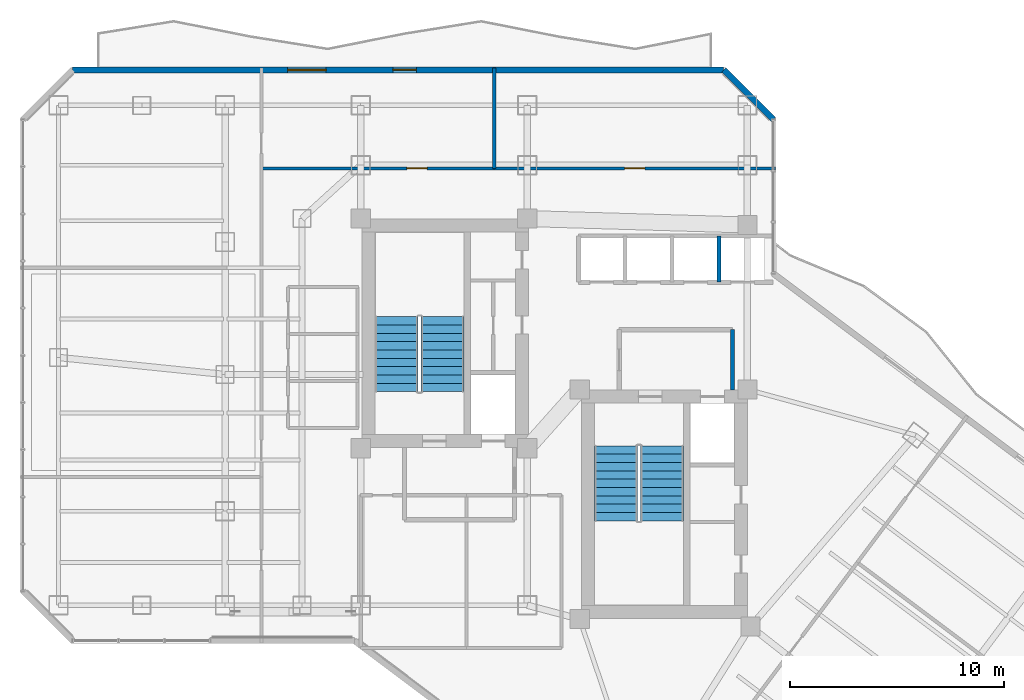
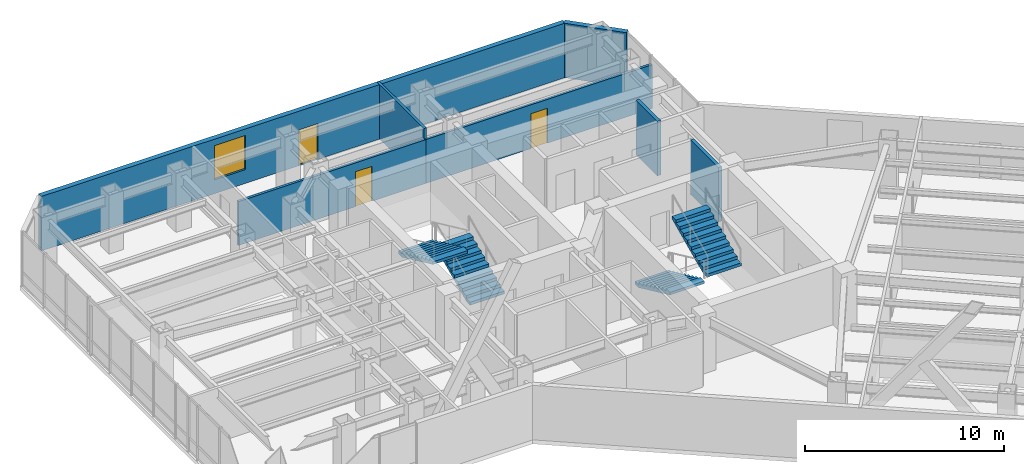
# One storey, part 24 of 29: 7 walls, 4 stair flights, 3 doors, 1 window, 4 openings, 2 elements without a shape of their own.
"""IFC4 building model written with IfcOpenShell, lengths in metres."""

from ifc_helpers import new_model, si_unit, direction, frame, frame_2d, origin, place, context, subcontext, project, spatial, polyline, rectangle, outline, extrude, material, layer, layer_set, type_object, element, fill, aggregate, save


model = new_model("IFC4")

# Units and contexts
model_context = context("Model", 3, precision=1e-05, world=origin(), true_north=direction((0.0, 1.0)))
body_context = subcontext(model_context, "Body", "Model", "MODEL_VIEW")
ifc_project = project(units=[si_unit("LENGTHUNIT", "METRE"), si_unit("AREAUNIT", "SQUARE_METRE"), si_unit("VOLUMEUNIT", "CUBIC_METRE"), si_unit("PLANEANGLEUNIT", "RADIAN"), si_unit("MASSUNIT", "GRAM", prefix="KILO")], contexts=[model_context])

# Site, building, storey
site_placement = place(None, origin())
site = spatial("IfcSite", under=ifc_project, at=site_placement, CompositionType="ELEMENT")
building_placement = place(site_placement, origin())
building = spatial("IfcBuilding", under=site, at=building_placement, Name="Hatsunagi Terrace Concourse", CompositionType="ELEMENT")
storey_placement = place(building_placement, frame((0.0, 0.0, 119.25)))
storey = spatial("IfcBuildingStorey", under=building, at=storey_placement, Name="L31", CompositionType="ELEMENT", Elevation=119.25)

# Wall, opening, door
ifc_material_1 = material(Name="Acoustic mineral board", Category="gypsum")
ifc_layer_1 = layer(ifc_material_1, 0.14990234375)
ifc_layer_set_1 = layer_set([ifc_layer_1], Name="PartitionWall_EI60_150")
wall_type_1 = type_object("IfcWallType", Name="PartitionWall_EI60_150", PredefinedType="PARTITIONING", material=ifc_layer_set_1)
wall_1_placement = place(storey_placement, frame((20.89990234375, 45.64990234375, 0.0), z_axis=(0.0, 0.0, 1.0), x_axis=(1.0, 0.0, 0.0)))
wall_1 = element("IfcWall", 1, at=wall_1_placement, inside=storey, type_object=wall_type_1, Name="Interior Partition IW-L31-038", PredefinedType="PARTITIONING", context=body_context, shape_type="SweptSolid", body=[
    extrude(rectangle(XDim=10.900146484375, YDim=0.14990234375, at=frame_2d((5.4501953125, 0.0))), origin(), (0.0, 0.0, 1.0), 2.695068359375),
])
opening_1_placement = place(wall_1_placement, frame((6.81298828125, 0.0, 0.0)))
opening_1 = element("IfcOpeningElement", 2, at=opening_1_placement, cuts=wall_1, Name="Opening DR-095", PredefinedType="OPENING", context=body_context, shape_type="SweptSolid", body=[
    extrude(rectangle(XDim=0.949951171875, YDim=2.14990234375, at=frame_2d((0.47509765625, 1.074951171875))), frame((0.0, 0.0849609375, 0.0), z_axis=(0.0, -1.0, 0.0), x_axis=(1.0, 0.0, 0.0)), (0.0, 0.0, 1.0), 0.169921875),
])
ifc_material_2 = material(Name="Hardwood timber", Category="wood")
door_type_1 = type_object("IfcDoorType", Name="InteriorSuiteDoor_EI30_950", OperationType="NOTDEFINED", PredefinedType="DOOR", material=ifc_material_2)
door_1_placement = place(opening_1_placement, origin())
door_1 = element("IfcDoor", 3, at=door_1_placement, inside=storey, type_object=door_type_1, Name="Boardroom L31-ON1 Door", OperationType="SINGLE_SWING_RIGHT", OverallHeight=2.14990234375, OverallWidth=0.949951171875, PredefinedType="DOOR", context=body_context, shape_type="SweptSolid", body=[
    extrude(rectangle(XDim=0.949951171875, YDim=2.14990234375, at=frame_2d((0.47509765625, 1.074951171875))), frame((0.0, 0.02490234375, 0.0), z_axis=(0.0, -1.0, 0.0), x_axis=(1.0, 0.0, 0.0)), (0.0, 0.0, 1.0), 0.050048828125),
])
fill(opening_1, door_1)

# Wall
wall_2_placement = place(storey_placement, frame((31.800048828125, 45.64990234375, 0.0), z_axis=(0.0, 0.0, 1.0), x_axis=(0.0, 1.0, 0.0)))
element("IfcWall", 4, at=wall_2_placement, inside=storey, type_object=wall_type_1, Name="Interior Partition IW-L31-039", PredefinedType="PARTITIONING", context=body_context, shape_type="SweptSolid", body=[
    extrude(rectangle(XDim=4.710205078125, YDim=0.14990234375, at=frame_2d((2.35498046875, 0.0))), origin(), (0.0, 0.0, 1.0), 3.35009765625),
])

# Wall, opening, door
wall_3_placement = place(storey_placement, frame((31.800048828125, 45.64990234375, 0.0), z_axis=(0.0, 0.0, 1.0), x_axis=(1.0, 0.0, 0.0)))
wall_3 = element("IfcWall", 5, at=wall_3_placement, inside=storey, type_object=wall_type_1, Name="Interior Partition IW-L31-040", PredefinedType="PARTITIONING", context=body_context, shape_type="SweptSolid", body=[
    extrude(rectangle(XDim=13.159912109375, YDim=0.14990234375, at=frame_2d((6.580078125, 0.0))), origin(), (0.0, 0.0, 1.0), 2.695068359375),
])
opening_2_placement = place(wall_3_placement, frame((6.10498046875, 0.0, 0.0)))
opening_2 = element("IfcOpeningElement", 6, at=opening_2_placement, cuts=wall_3, Name="Opening DR-095", PredefinedType="OPENING", context=body_context, shape_type="SweptSolid", body=[
    extrude(rectangle(XDim=0.949951171875, YDim=2.14990234375, at=frame_2d((0.47509765625, 1.074951171875))), frame((0.0, 0.0849609375, 0.0), z_axis=(0.0, -1.0, 0.0), x_axis=(1.0, 0.0, 0.0)), (0.0, 0.0, 1.0), 0.169921875),
])
door_2_placement = place(opening_2_placement, origin())
door_2 = element("IfcDoor", 7, at=door_2_placement, inside=storey, type_object=door_type_1, Name="Collaboration Lounge L31-ON2 Door", OperationType="SINGLE_SWING_RIGHT", OverallHeight=2.14990234375, OverallWidth=0.949951171875, PredefinedType="DOOR", context=body_context, shape_type="SweptSolid", body=[
    extrude(rectangle(XDim=0.949951171875, YDim=2.14990234375, at=frame_2d((0.47509765625, 1.074951171875))), frame((0.0, 0.02490234375, 0.0), z_axis=(0.0, -1.0, 0.0), x_axis=(1.0, 0.0, 0.0)), (0.0, 0.0, 1.0), 0.050048828125),
])
fill(opening_2, door_2)

# Walls
ifc_material_3 = material(Name="Acoustic mineral board", Category="gypsum")
ifc_layer_2 = layer(ifc_material_3, 0.199951171875)
ifc_layer_set_2 = layer_set([ifc_layer_2], Name="ShaftWall_EI120_200")
wall_type_2 = type_object("IfcWallType", Name="ShaftWall_EI120_200", PredefinedType="STANDARD", material=ifc_layer_set_2)
wall_4_placement = place(storey_placement, frame((42.949951171875, 35.27001953125, 0.0), z_axis=(0.0, 0.0, 1.0), x_axis=(0.0, 1.0, 0.0)))
element("IfcWall", 8, at=wall_4_placement, inside=storey, type_object=wall_type_2, Name="Interior Partition IW-L31-010", PredefinedType="STANDARD", context=body_context, shape_type="SweptSolid", body=[
    extrude(rectangle(XDim=2.830078125, YDim=0.199951171875, at=frame_2d((1.4150390625, 0.0))), origin(), (0.0, 0.0, 1.0), 3.35009765625),
])
wall_5_placement = place(storey_placement, frame((42.320068359375, 40.320068359375, 0.0), z_axis=(0.0, 0.0, 1.0), x_axis=(0.0, 1.0, 0.0)))
element("IfcWall", 9, at=wall_5_placement, inside=storey, type_object=wall_type_2, Name="Interior Partition IW-L31-016", PredefinedType="STANDARD", context=body_context, shape_type="SweptSolid", body=[
    extrude(rectangle(XDim=2.159912109375, YDim=0.199951171875, at=frame_2d((1.080078125, 0.0))), origin(), (0.0, 0.0, 1.0), 3.35009765625),
])

# Wall, openings, door, window
ifc_material_4 = material(Name="Autoclaved Lightweight Concrete and Terracotta Cladding", Category="masonry")
ifc_layer_3 = layer(ifc_material_4, 0.280029296875)
ifc_layer_set_3 = layer_set([ifc_layer_3], Name="TerracottaSpandrelWall_280")
wall_type_3 = type_object("IfcWallType", Name="TerracottaSpandrelWall_280", PredefinedType="STANDARD", material=ifc_layer_set_3)
wall_6_placement = place(storey_placement, frame((12.05810546875, 50.260009765625, 0.0), z_axis=(0.0, 0.0, 1.0), x_axis=(1.0, 0.0, 0.0)))
wall_6 = element("IfcWall", 10, at=wall_6_placement, inside=storey, type_object=wall_type_3, Name="Exterior Spandrel Wall EW-L31-11", PredefinedType="STANDARD", context=body_context, shape_type="SweptSolid", body=[
    extrude(rectangle(XDim=30.48388671875, YDim=0.280029296875, at=frame_2d((15.241943359375, 0.0))), origin(), (0.0, 0.0, 1.0), 3.35009765625),
])
opening_3_placement = place(wall_6_placement, frame((14.991943359375, 0.0, 0.0)))
opening_3 = element("IfcOpeningElement", 11, at=opening_3_placement, cuts=wall_6, Name="Opening BD-01", PredefinedType="OPENING", context=body_context, shape_type="SweptSolid", body=[
    extrude(rectangle(XDim=1.10009765625, YDim=2.199951171875, at=frame_2d((0.550048828125, 1.10009765625))), frame((0.0, 0.14990234375, 0.0), z_axis=(0.0, -1.0, 0.0), x_axis=(1.0, 0.0, 0.0)), (0.0, 0.0, 1.0), 0.300048828125),
])
opening_4_placement = place(wall_6_placement, frame((10.073974609375, 0.0, 0.85009765625)))
opening_4 = element("IfcOpeningElement", 12, at=opening_4_placement, cuts=wall_6, Name="Opening WIN-03", PredefinedType="OPENING", context=body_context, shape_type="SweptSolid", body=[
    extrude(rectangle(XDim=1.800048828125, YDim=2.10009765625, at=frame_2d((0.89990234375, 1.050048828125))), frame((0.0, 0.14990234375, 0.0), z_axis=(0.0, -1.0, 0.0), x_axis=(1.0, 0.0, 0.0)), (0.0, 0.0, 1.0), 0.300048828125),
])
ifc_material_5 = material(Name="Galvanised Steel and Laminated Safety Glass", Category="steel")
door_type_2 = type_object("IfcDoorType", Name="BalconyTerraceAccessDoor_1100x2200", OperationType="SINGLE_SWING_LEFT", PredefinedType="DOOR", material=ifc_material_5)
door_3_placement = place(opening_3_placement, origin())
door_3 = element("IfcDoor", 13, at=door_3_placement, inside=storey, type_object=door_type_2, Name="Engawa Balcony Door L31-BN", OperationType="SINGLE_SWING_RIGHT", OverallHeight=2.199951171875, OverallWidth=1.10009765625, PredefinedType="DOOR", context=body_context, shape_type="SweptSolid", body=[
    extrude(rectangle(XDim=1.10009765625, YDim=2.199951171875, at=frame_2d((0.550048828125, 1.10009765625))), frame((0.0, 0.02490234375, 0.0), z_axis=(0.0, -1.0, 0.0), x_axis=(1.0, 0.0, 0.0)), (0.0, 0.0, 1.0), 0.050048828125),
])
fill(opening_3, door_3)
ifc_material_6 = material(Name="Thermally Broken Aluminium and Low-E Triple Glazing", Category="aluminium")
window_type = type_object("IfcWindowType", Name="OfficeCornerFeatureWindow_1800x2100", PartitioningType="SINGLE_PANEL", PredefinedType="WINDOW", material=ifc_material_6)
window_placement = place(opening_4_placement, origin())
window = element("IfcWindow", 14, at=window_placement, inside=storey, type_object=window_type, Name="Balcony Daylighting Window L31-11-1", OverallHeight=2.10009765625, OverallWidth=1.800048828125, PartitioningType="SINGLE_PANEL", PredefinedType="WINDOW", context=body_context, shape_type="SweptSolid", body=[
    extrude(rectangle(XDim=1.800048828125, YDim=2.10009765625, at=frame_2d((0.89990234375, 1.050048828125))), frame((0.0, 0.030029296875, 0.0), z_axis=(0.0, -1.0, 0.0), x_axis=(1.0, 0.0, 0.0)), (0.0, 0.0, 1.0), 0.06005859375),
])
fill(opening_4, window)

# Wall
wall_7_placement = place(storey_placement, frame((42.5419921875, 50.260009765625, 0.0), z_axis=(0.0, 0.0, 1.0), x_axis=(0.707106781187, -0.707106781187, 0.0)))
element("IfcWall", 15, at=wall_7_placement, inside=storey, type_object=wall_type_3, Name="Exterior Spandrel Wall EW-L31-12", PredefinedType="STANDARD", context=body_context, shape_type="SweptSolid", body=[
    extrude(rectangle(XDim=3.2783203125, YDim=0.280029296875, at=frame_2d((1.63916015625, 0.0))), origin(), (0.0, 0.0, 1.0), 3.35009765625),
])

# Stair, stair flights
ifc_material_7 = material(Name="Concrete Fc42", Category="concrete")
stair_type = type_object("IfcStairType", Name="DoglegExitStair_Tower2000_20R_180", PredefinedType="HALF_TURN_STAIR", material=ifc_material_7)
stair_1_placement = place(storey_placement, origin())
stair_1 = element("IfcStair", 16, at=stair_1_placement, inside=storey, type_object=stair_type, Name="L31 Core A Protected Exit Stair ST-A", PredefinedType="HALF_TURN_STAIR")
ifc_material_8 = material(Name="Concrete Fc42", Category="concrete")
stair_flight_type = type_object("IfcStairFlightType", Name="DoglegStairFlight_Tower2000_20R_180", PredefinedType="STRAIGHT", material=ifc_material_8)
stair_flight_1_placement = place(storey_placement, frame((29.3798828125, 35.199951171875, 0.0), z_axis=(0.0, 0.0, 1.0), x_axis=(0.0, 1.0, 0.0)))
stair_flight_1 = element("IfcStairFlight", 17, at=stair_flight_1_placement, type_object=stair_flight_type, Name="ST-A flight 1", NumberOfRisers=10, NumberOfTreads=9, PredefinedType="STRAIGHT", RiserHeight=0.18, TreadLength=0.39, context=body_context, shape_type="SweptSolid", body=[
    extrude(outline(polyline([(0.0, 0.0), (0.0, 0.179931640625), (0.389892578125, 0.179931640625), (0.389892578125, 0.360107421875), (0.780029296875, 0.360107421875), (0.780029296875, 0.5400390625), (1.169921875, 0.5400390625), (1.169921875, 0.719970703125), (1.56005859375, 0.719970703125), (1.56005859375, 0.89990234375), (1.949951171875, 0.89990234375), (1.949951171875, 1.080078125), (2.340087890625, 1.080078125), (2.340087890625, 1.260009765625), (2.72998046875, 1.260009765625), (2.72998046875, 1.43994140625), (3.1201171875, 1.43994140625), (3.1201171875, 1.6201171875), (3.510009765625, 1.6201171875), (3.510009765625, 1.800048828125), (3.510009765625, 1.454833984375), (0.357666015625, 0.0), (0.0, 0.0)])), frame((0.0, 1.0, 0.0), z_axis=(0.0, -1.0, 0.0), x_axis=(1.0, 0.0, 0.0)), (0.0, 0.0, 1.0), 2.0),
])
stair_flight_2_placement = place(storey_placement, frame((27.22998046875, 38.7099609375, 1.800048828125), z_axis=(0.0, 0.0, 1.0), x_axis=(0.0, -1.0, 0.0)))
stair_flight_2 = element("IfcStairFlight", 18, at=stair_flight_2_placement, type_object=stair_flight_type, Name="ST-A flight 2", NumberOfRisers=10, NumberOfTreads=9, PredefinedType="STRAIGHT", RiserHeight=0.18, TreadLength=0.39, context=body_context, shape_type="SweptSolid", body=[
    extrude(outline(polyline([(0.0, 0.0), (0.0, 0.179931640625), (0.389892578125, 0.179931640625), (0.389892578125, 0.360107421875), (0.780029296875, 0.360107421875), (0.780029296875, 0.5400390625), (1.169921875, 0.5400390625), (1.169921875, 0.719970703125), (1.56005859375, 0.719970703125), (1.56005859375, 0.89990234375), (1.949951171875, 0.89990234375), (1.949951171875, 1.080078125), (2.340087890625, 1.080078125), (2.340087890625, 1.260009765625), (2.72998046875, 1.260009765625), (2.72998046875, 1.43994140625), (3.1201171875, 1.43994140625), (3.1201171875, 1.6201171875), (3.510009765625, 1.6201171875), (3.510009765625, 1.800048828125), (3.510009765625, 1.454833984375), (0.357666015625, 0.0), (0.0, 0.0)])), frame((0.0, 1.0, 0.0), z_axis=(0.0, -1.0, 0.0), x_axis=(1.0, 0.0, 0.0)), (0.0, 0.0, 1.0), 2.0),
])
aggregate(stair_1, [stair_flight_1, stair_flight_2])

stair_2_placement = place(storey_placement, origin())
stair_2 = element("IfcStair", 19, at=stair_2_placement, inside=storey, type_object=stair_type, Name="L31 Core B Protected Exit Stair ST-B", PredefinedType="HALF_TURN_STAIR")
stair_flight_3_placement = place(storey_placement, frame((37.5, 32.659912109375, 0.0), z_axis=(0.0, 0.0, 1.0), x_axis=(0.0, -1.0, 0.0)))
stair_flight_3 = element("IfcStairFlight", 20, at=stair_flight_3_placement, type_object=stair_flight_type, Name="ST-B flight 1", NumberOfRisers=10, NumberOfTreads=9, PredefinedType="STRAIGHT", RiserHeight=0.18, TreadLength=0.39, context=body_context, shape_type="SweptSolid", body=[
    extrude(outline(polyline([(0.0, 0.0), (0.0, 0.179931640625), (0.389892578125, 0.179931640625), (0.389892578125, 0.360107421875), (0.780029296875, 0.360107421875), (0.780029296875, 0.5400390625), (1.169921875, 0.5400390625), (1.169921875, 0.719970703125), (1.56005859375, 0.719970703125), (1.56005859375, 0.89990234375), (1.949951171875, 0.89990234375), (1.949951171875, 1.080078125), (2.340087890625, 1.080078125), (2.340087890625, 1.260009765625), (2.72998046875, 1.260009765625), (2.72998046875, 1.43994140625), (3.1201171875, 1.43994140625), (3.1201171875, 1.6201171875), (3.510009765625, 1.6201171875), (3.510009765625, 1.800048828125), (3.510009765625, 1.454833984375), (0.357666015625, 0.0), (0.0, 0.0)])), frame((0.0, 1.0, 0.0), z_axis=(0.0, -1.0, 0.0), x_axis=(1.0, 0.0, 0.0)), (0.0, 0.0, 1.0), 2.0),
])
stair_flight_4_placement = place(storey_placement, frame((39.64990234375, 29.14990234375, 1.800048828125), z_axis=(0.0, 0.0, 1.0), x_axis=(0.0, 1.0, 0.0)))
stair_flight_4 = element("IfcStairFlight", 21, at=stair_flight_4_placement, type_object=stair_flight_type, Name="ST-B flight 2", NumberOfRisers=10, NumberOfTreads=9, PredefinedType="STRAIGHT", RiserHeight=0.18, TreadLength=0.39, context=body_context, shape_type="SweptSolid", body=[
    extrude(outline(polyline([(0.0, 0.0), (0.0, 0.179931640625), (0.389892578125, 0.179931640625), (0.389892578125, 0.360107421875), (0.780029296875, 0.360107421875), (0.780029296875, 0.5400390625), (1.169921875, 0.5400390625), (1.169921875, 0.719970703125), (1.56005859375, 0.719970703125), (1.56005859375, 0.89990234375), (1.949951171875, 0.89990234375), (1.949951171875, 1.080078125), (2.340087890625, 1.080078125), (2.340087890625, 1.260009765625), (2.72998046875, 1.260009765625), (2.72998046875, 1.43994140625), (3.1201171875, 1.43994140625), (3.1201171875, 1.6201171875), (3.510009765625, 1.6201171875), (3.510009765625, 1.800048828125), (3.510009765625, 1.454833984375), (0.357666015625, 0.0), (0.0, 0.0)])), frame((0.0, 1.0, 0.0), z_axis=(0.0, -1.0, 0.0), x_axis=(1.0, 0.0, 0.0)), (0.0, 0.0, 1.0), 2.0),
])
aggregate(stair_2, [stair_flight_3, stair_flight_4])

save(model, "model.ifc")
